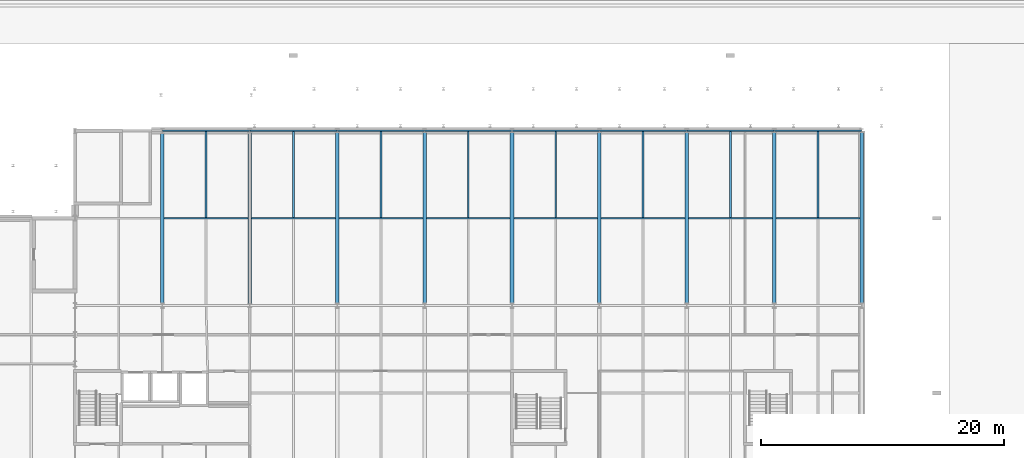
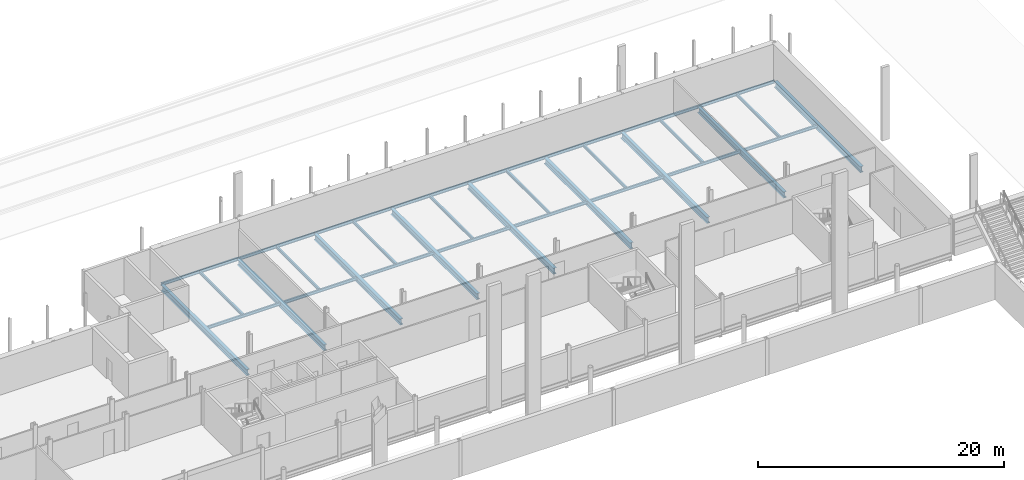
# One storey, part 38 of 90: 33 beams.
"""IFC4 building model written with IfcOpenShell, lengths in metres."""

from ifc_helpers import new_model, si_unit, direction, frame, origin, origin_2d, place, context, subcontext, project, spatial, i_section, extrude, material, material_profile, profile_set, type_object, element, save


model = new_model("IFC4")

# Units and contexts
model_context = context("Model", 3, precision=1e-05, world=origin(), true_north=direction((0.0, 1.0)))
body_context = subcontext(model_context, "Body", "Model", "MODEL_VIEW")
ifc_project = project(units=[si_unit("LENGTHUNIT", "METRE"), si_unit("AREAUNIT", "SQUARE_METRE"), si_unit("VOLUMEUNIT", "CUBIC_METRE"), si_unit("PLANEANGLEUNIT", "RADIAN"), si_unit("MASSUNIT", "GRAM", prefix="KILO")], contexts=[model_context])

# Site, building, storey
site_placement = place(None, origin())
site = spatial("IfcSite", under=ifc_project, at=site_placement, CompositionType="ELEMENT")
building_placement = place(site_placement, origin())
building = spatial("IfcBuilding", under=site, at=building_placement, Name="Kupolbacken Congress Centre", CompositionType="ELEMENT")
storey_placement = place(building_placement, frame((0.0, 0.0, 3.60009765625)))
storey = spatial("IfcBuildingStorey", under=building, at=storey_placement, Name="L01", CompositionType="ELEMENT", Elevation=3.60009765625)

# Beams
ifc_material_1 = material(Name="Steel S355", Category="steel")
ifc_material_profile_1 = material_profile(ifc_material_1, i_section(OverallWidth=0.14990234375, OverallDepth=0.300048828125, WebThickness=0.007080078125, FlangeThickness=0.0107421875, FilletRadius=0.014892578125, at=origin_2d()), Name="IPE 300")
ifc_profile_set_1 = profile_set([ifc_material_profile_1], Name="Steel S355")
beam_type_1 = type_object("IfcBeamType", Name="B04 beam IPE 300", PredefinedType="BEAM", material=ifc_profile_set_1)
beam_1_placement = place(storey_placement, frame((144.14990234375, 144.0, -0.330078125), z_axis=(1.0, 0.0, 0.0), x_axis=(0.0, 1.0, 0.0)))
element("IfcBeam", 1, at=beam_1_placement, inside=storey, type_object=beam_type_1, Name="S/floor/BF/L01/R013", PredefinedType="BEAM", context=body_context, shape_type="SweptSolid", body=[
    extrude(i_section(OverallWidth=0.14990234375, OverallDepth=0.300048828125, WebThickness=0.007080078125, FlangeThickness=0.0107421875, FilletRadius=0.014892578125, at=origin_2d()), origin(), (0.0, 0.0, 1.0), 6.900146484375),
])
beam_2_placement = place(storey_placement, frame((144.007080078125, 151.199951171875, -0.330078125), z_axis=(1.0, 0.0, 0.0), x_axis=(0.0, 1.0, 0.0)))
element("IfcBeam", 2, at=beam_2_placement, inside=storey, type_object=beam_type_1, Name="S/floor/BF/L01/R015", PredefinedType="BEAM", context=body_context, shape_type="SweptSolid", body=[
    extrude(i_section(OverallWidth=0.14990234375, OverallDepth=0.300048828125, WebThickness=0.007080078125, FlangeThickness=0.0107421875, FilletRadius=0.014892578125, at=origin_2d()), origin(), (0.0, 0.0, 1.0), 7.1875),
])
beam_3_placement = place(storey_placement, frame((147.60009765625, 144.074951171875, -0.330078125), z_axis=(0.0, 1.0, 0.0), x_axis=(-1.0, 0.0, 0.0)))
element("IfcBeam", 3, at=beam_3_placement, inside=storey, type_object=beam_type_1, Name="S/floor/BF/L01/S023", PredefinedType="BEAM", context=body_context, shape_type="SweptSolid", body=[
    extrude(i_section(OverallWidth=0.14990234375, OverallDepth=0.300048828125, WebThickness=0.007080078125, FlangeThickness=0.0107421875, FilletRadius=0.014892578125, at=origin_2d()), origin(), (0.0, 0.0, 1.0), 7.050048828125),
])
for number, where, z_axis, x_axis, name in (
    (4, (151.35009765625, 144.0, -0.35009765625), (1.0, 0.0, 0.0), (0.0, 1.0, 0.0), "S/floor/B/L01/R038"),
    (5, (158.550048828125, 144.0, -0.35009765625), (1.0, 0.0, 0.0), (0.0, 1.0, 0.0), "S/floor/B/L01/R039"),
    (6, (165.75, 144.0, -0.35009765625), (1.0, 0.0, 0.0), (0.0, 1.0, 0.0), "S/floor/B/L01/R040"),
):
    element("IfcBeam", number, at=place(storey_placement, frame(where, z_axis=z_axis, x_axis=x_axis)), inside=storey, type_object=beam_type_1, Name=name, PredefinedType="BEAM", context=body_context, shape_type="SweptSolid", body=[
        extrude(i_section(OverallWidth=0.14990234375, OverallDepth=0.300048828125, WebThickness=0.007080078125, FlangeThickness=0.0107421875, FilletRadius=0.014892578125, at=origin_2d()), origin(), (0.0, 0.0, 1.0), 6.89990234375),
    ])
for number, where, z_axis, x_axis, name in (
    (7, (172.949951171875, 144.0, -0.35009765625), (1.0, 0.0, 0.0), (0.0, 1.0, 0.0), "S/floor/B/L01/R041"),
    (8, (180.14990234375, 144.0, -0.35009765625), (1.0, 0.0, 0.0), (0.0, 1.0, 0.0), "S/floor/B/L01/R042"),
):
    element("IfcBeam", number, at=place(storey_placement, frame(where, z_axis=z_axis, x_axis=x_axis)), inside=storey, type_object=beam_type_1, Name=name, PredefinedType="BEAM", context=body_context, shape_type="SweptSolid", body=[
        extrude(i_section(OverallWidth=0.14990234375, OverallDepth=0.300048828125, WebThickness=0.007080078125, FlangeThickness=0.0107421875, FilletRadius=0.014892578125, at=origin_2d()), origin(), (0.0, 0.0, 1.0), 6.900146484375),
    ])
for number, where, z_axis, x_axis, name in (
    (9, (187.35009765625, 144.0, -0.35009765625), (1.0, 0.0, 0.0), (0.0, 1.0, 0.0), "S/floor/B/L01/R043"),
    (10, (194.550048828125, 144.0, -0.35009765625), (1.0, 0.0, 0.0), (0.0, 1.0, 0.0), "S/floor/B/L01/R044"),
):
    element("IfcBeam", number, at=place(storey_placement, frame(where, z_axis=z_axis, x_axis=x_axis)), inside=storey, type_object=beam_type_1, Name=name, PredefinedType="BEAM", context=body_context, shape_type="SweptSolid", body=[
        extrude(i_section(OverallWidth=0.14990234375, OverallDepth=0.300048828125, WebThickness=0.007080078125, FlangeThickness=0.0107421875, FilletRadius=0.014892578125, at=origin_2d()), origin(), (0.0, 0.0, 1.0), 6.89990234375),
    ])
for number, where, z_axis, x_axis, name in (
    (11, (151.20556640625, 151.199951171875, -0.35009765625), (1.0, 0.0, 0.0), (0.0, 1.0, 0.0), "S/floor/B/L01/R045"),
    (12, (158.405517578125, 151.199951171875, -0.35009765625), (1.0, 0.0, 0.0), (0.0, 1.0, 0.0), "S/floor/B/L01/R046"),
    (13, (165.60546875, 151.199951171875, -0.35009765625), (1.0, 0.0, 0.0), (0.0, 1.0, 0.0), "S/floor/B/L01/R047"),
    (14, (172.805419921875, 151.199951171875, -0.35009765625), (1.0, 0.0, 0.0), (0.0, 1.0, 0.0), "S/floor/B/L01/R048"),
    (15, (180.005615234375, 151.199951171875, -0.35009765625), (1.0, 0.0, 0.0), (0.0, 1.0, 0.0), "S/floor/B/L01/R049"),
    (16, (187.20556640625, 151.199951171875, -0.35009765625), (1.0, 0.0, 0.0), (0.0, 1.0, 0.0), "S/floor/B/L01/R050"),
    (17, (194.405517578125, 151.199951171875, -0.35009765625), (1.0, 0.0, 0.0), (0.0, 1.0, 0.0), "S/floor/B/L01/R051"),
):
    element("IfcBeam", number, at=place(storey_placement, frame(where, z_axis=z_axis, x_axis=x_axis)), inside=storey, type_object=beam_type_1, Name=name, PredefinedType="BEAM", context=body_context, shape_type="SweptSolid", body=[
        extrude(i_section(OverallWidth=0.14990234375, OverallDepth=0.300048828125, WebThickness=0.007080078125, FlangeThickness=0.0107421875, FilletRadius=0.014892578125, at=origin_2d()), origin(), (0.0, 0.0, 1.0), 7.18896484375),
    ])
for number, where, z_axis, x_axis, name in (
    (18, (154.800048828125, 144.074951171875, -0.35009765625), (0.0, 1.0, 0.0), (-1.0, 0.0, 0.0), "S/floor/B/L01/S055"),
    (19, (162.0, 144.074951171875, -0.35009765625), (0.0, 1.0, 0.0), (-1.0, 0.0, 0.0), "S/floor/B/L01/S059"),
    (20, (169.199951171875, 144.074951171875, -0.35009765625), (0.0, 1.0, 0.0), (-1.0, 0.0, 0.0), "S/floor/B/L01/S063"),
    (21, (176.39990234375, 144.074951171875, -0.35009765625), (0.0, 1.0, 0.0), (-1.0, 0.0, 0.0), "S/floor/B/L01/S067"),
    (22, (183.60009765625, 144.074951171875, -0.35009765625), (0.0, 1.0, 0.0), (-1.0, 0.0, 0.0), "S/floor/B/L01/S071"),
    (23, (190.800048828125, 144.074951171875, -0.35009765625), (0.0, 1.0, 0.0), (-1.0, 0.0, 0.0), "S/floor/B/L01/S075"),
    (24, (198.0, 144.074951171875, -0.35009765625), (0.0, 1.0, 0.0), (-1.0, 0.0, 0.0), "S/floor/B/L01/S079"),
):
    element("IfcBeam", number, at=place(storey_placement, frame(where, z_axis=z_axis, x_axis=x_axis)), inside=storey, type_object=beam_type_1, Name=name, PredefinedType="BEAM", context=body_context, shape_type="SweptSolid", body=[
        extrude(i_section(OverallWidth=0.14990234375, OverallDepth=0.300048828125, WebThickness=0.007080078125, FlangeThickness=0.0107421875, FilletRadius=0.014892578125, at=origin_2d()), origin(), (0.0, 0.0, 1.0), 7.050048828125),
    ])
ifc_material_2 = material(Name="Steel S355", Category="steel")
ifc_material_profile_2 = material_profile(ifc_material_2, i_section(OverallWidth=0.300048828125, OverallDepth=0.60009765625, WebThickness=0.015380859375, FlangeThickness=0.030029296875, FilletRadius=0.027099609375, at=origin_2d()), Name="HEB 600")
ifc_profile_set_2 = profile_set([ifc_material_profile_2], Name="Steel S355")
beam_type_2 = type_object("IfcBeamType", Name="B15 beam HEB 600", PredefinedType="BEAM", material=ifc_profile_set_2)
beam_4_placement = place(storey_placement, frame((144.0, 137.02490234375, -0.47998046875), z_axis=(0.0, 1.0, 0.0), x_axis=(-1.0, 0.0, 0.0)))
element("IfcBeam", 25, at=beam_4_placement, inside=storey, type_object=beam_type_2, Name="S/floor/BF/L01/G004", PredefinedType="BEAM", context=body_context, shape_type="SweptSolid", body=[
    extrude(i_section(OverallWidth=0.300048828125, OverallDepth=0.60009765625, WebThickness=0.015380859375, FlangeThickness=0.030029296875, FilletRadius=0.027099609375, at=origin_2d()), origin(), (0.0, 0.0, 1.0), 13.9501953125),
])
beam_5_placement = place(storey_placement, frame((151.199951171875, 136.949951171875, -0.47998046875), z_axis=(0.0, 1.0, 0.0), x_axis=(-1.0, 0.0, 0.0)))
element("IfcBeam", 26, at=beam_5_placement, inside=storey, type_object=beam_type_2, Name="S/floor/BF/L01/G007", PredefinedType="BEAM", context=body_context, shape_type="SweptSolid", body=[
    extrude(i_section(OverallWidth=0.300048828125, OverallDepth=0.60009765625, WebThickness=0.015380859375, FlangeThickness=0.030029296875, FilletRadius=0.027099609375, at=origin_2d()), origin(), (0.0, 0.0, 1.0), 14.10009765625),
])
for number, where, z_axis, x_axis, name in (
    (27, (158.39990234375, 137.02490234375, -0.5), (0.0, 1.0, 0.0), (-1.0, 0.0, 0.0), "S/floor/B/L01/G002"),
    (28, (165.60009765625, 137.02490234375, -0.5), (0.0, 1.0, 0.0), (-1.0, 0.0, 0.0), "S/floor/B/L01/G004"),
    (29, (172.800048828125, 137.02490234375, -0.5), (0.0, 1.0, 0.0), (-1.0, 0.0, 0.0), "S/floor/B/L01/G007"),
    (30, (180.0, 137.02490234375, -0.5), (0.0, 1.0, 0.0), (-1.0, 0.0, 0.0), "S/floor/B/L01/G009"),
    (31, (187.199951171875, 137.02490234375, -0.5), (0.0, 1.0, 0.0), (-1.0, 0.0, 0.0), "S/floor/B/L01/G011"),
    (32, (194.39990234375, 137.02490234375, -0.5), (0.0, 1.0, 0.0), (-1.0, 0.0, 0.0), "S/floor/B/L01/G014"),
    (33, (201.60009765625, 137.02490234375, -0.5), (0.0, 1.0, 0.0), (-1.0, 0.0, 0.0), "S/floor/B/L01/G016"),
):
    element("IfcBeam", number, at=place(storey_placement, frame(where, z_axis=z_axis, x_axis=x_axis)), inside=storey, type_object=beam_type_2, Name=name, PredefinedType="BEAM", context=body_context, shape_type="SweptSolid", body=[
        extrude(i_section(OverallWidth=0.300048828125, OverallDepth=0.60009765625, WebThickness=0.015380859375, FlangeThickness=0.030029296875, FilletRadius=0.027099609375, at=origin_2d()), origin(), (0.0, 0.0, 1.0), 14.025146484375),
    ])

save(model, "model.ifc")
